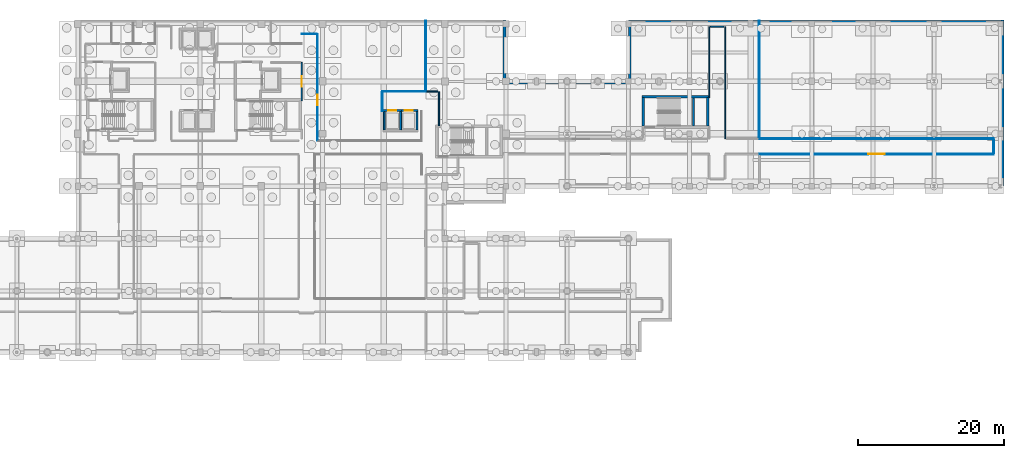
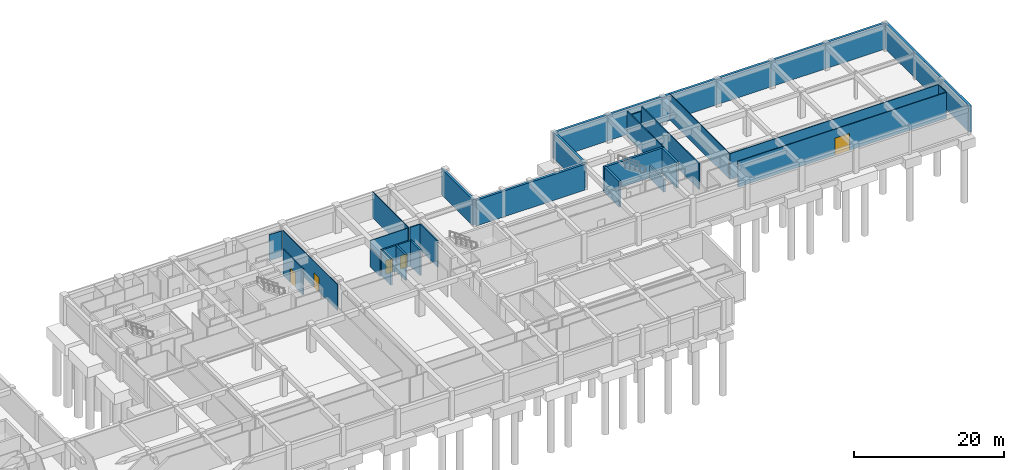
# One storey, part 33 of 42: 29 walls, 5 doors, 5 openings.
"""IFC4 building model written with IfcOpenShell, lengths in metres."""

from ifc_helpers import new_model, si_unit, direction, frame, frame_2d, origin, place, context, subcontext, project, spatial, rectangle, extrude, material, layer, layer_set, type_object, element, fill, save


model = new_model("IFC4")

# Units and contexts
model_context = context("Model", 3, precision=1e-05, world=origin(), true_north=direction((0.0, 1.0)))
body_context = subcontext(model_context, "Body", "Model", "MODEL_VIEW")
ifc_project = project(units=[si_unit("LENGTHUNIT", "METRE"), si_unit("AREAUNIT", "SQUARE_METRE"), si_unit("VOLUMEUNIT", "CUBIC_METRE"), si_unit("PLANEANGLEUNIT", "RADIAN"), si_unit("MASSUNIT", "GRAM", prefix="KILO")], contexts=[model_context])

# Site, building, storey
site_placement = place(None, origin())
site = spatial("IfcSite", under=ifc_project, at=site_placement, CompositionType="ELEMENT")
building_placement = place(site_placement, origin())
building = spatial("IfcBuilding", under=site, at=building_placement, Name="Quendrovan Civic Courthouse", CompositionType="ELEMENT")
storey_placement = place(building_placement, frame((0.0, 0.0, -4.5)))
storey = spatial("IfcBuildingStorey", under=building, at=storey_placement, Name="B1", CompositionType="ELEMENT", Elevation=-4.5)

# Walls
ifc_material_1 = material(Name="Concrete C35/45", Category="concrete")
ifc_layer_1 = layer(ifc_material_1, 0.3798828125, Name="Concrete C35/45")
ifc_layer_set_1 = layer_set([ifc_layer_1], Name="Concrete C35/45")
wall_type_1 = type_object("IfcWallType", Name="WL-BSM-RET380", PredefinedType="SOLIDWALL", material=ifc_layer_set_1)
wall_1_placement = place(storey_placement, frame((92.18994140625, 110.39990234375, 0.0), z_axis=(0.0, 0.0, 1.0), x_axis=(0.0, -1.0, 0.0)))
element("IfcWall", 1, at=wall_1_placement, inside=storey, type_object=wall_type_1, Name="B1 Perimeter Retaining Wall 009", PredefinedType="SOLIDWALL", context=body_context, shape_type="SweptSolid", body=[
    extrude(rectangle(XDim=8.39990234375, YDim=0.3798828125, at=frame_2d((4.199951171875, 0.0))), origin(), (0.0, 0.0, 1.0), 4.219970703125),
])
wall_2_placement = place(storey_placement, frame((92.39990234375, 101.7900390625, 0.0), z_axis=(0.0, 0.0, 1.0), x_axis=(1.0, 0.0, 0.0)))
element("IfcWall", 2, at=wall_2_placement, inside=storey, type_object=wall_type_1, Name="B1 Perimeter Retaining Wall 010", PredefinedType="SOLIDWALL", context=body_context, shape_type="SweptSolid", body=[
    extrude(rectangle(XDim=16.800048828125, YDim=0.3798828125, at=frame_2d((8.39990234375, 0.0))), origin(), (0.0, 0.0, 1.0), 4.219970703125),
])
wall_3_placement = place(storey_placement, frame((109.409912109375, 102.0, 0.0), z_axis=(0.0, 0.0, 1.0), x_axis=(0.0, 1.0, 0.0)))
element("IfcWall", 3, at=wall_3_placement, inside=storey, type_object=wall_type_1, Name="B1 Perimeter Retaining Wall 011", PredefinedType="SOLIDWALL", context=body_context, shape_type="SweptSolid", body=[
    extrude(rectangle(XDim=8.39990234375, YDim=0.3798828125, at=frame_2d((4.199951171875, 0.0))), origin(), (0.0, 0.0, 1.0), 4.219970703125),
])
wall_4_placement = place(storey_placement, frame((109.199951171875, 110.18994140625, 0.0), z_axis=(0.0, 0.0, 1.0), x_axis=(1.0, 0.0, 0.0)))
element("IfcWall", 4, at=wall_4_placement, inside=storey, type_object=wall_type_1, Name="B1 Perimeter Retaining Wall 012", PredefinedType="SOLIDWALL", context=body_context, shape_type="SweptSolid", body=[
    extrude(rectangle(XDim=51.60009765625, YDim=0.3798828125, at=frame_2d((25.800048828125, 0.0))), origin(), (0.0, 0.0, 1.0), 4.219970703125),
])
wall_5_placement = place(storey_placement, frame((160.590087890625, 110.39990234375, 0.0), z_axis=(0.0, 0.0, 1.0), x_axis=(0.0, -1.0, 0.0)))
element("IfcWall", 5, at=wall_5_placement, inside=storey, type_object=wall_type_1, Name="B1 Perimeter Retaining Wall 013", PredefinedType="SOLIDWALL", context=body_context, shape_type="SweptSolid", body=[
    extrude(rectangle(XDim=22.7998046875, YDim=0.3798828125, at=frame_2d((11.39990234375, 0.0))), origin(), (0.0, 0.0, 1.0), 4.219970703125),
])
ifc_material_2 = material(Name="Fire-rated gypsum stud partition")
ifc_layer_2 = layer(ifc_material_2, 0.159912109375, Name="Fire-rated gypsum stud partition")
ifc_layer_set_2 = layer_set([ifc_layer_2], Name="Fire-rated gypsum stud partition")
wall_type_2 = type_object("IfcWallType", Name="WL-COR-160", PredefinedType="PARTITIONING", material=ifc_layer_set_2)
wall_6_placement = place(storey_placement, frame((122.5, 94.10009765625, 0.0), z_axis=(0.0, 0.0, 1.0), x_axis=(0.0, 1.0, 0.0)))
element("IfcWall", 6, at=wall_6_placement, inside=storey, type_object=wall_type_2, Name="B1 Building Mechanical Support Room Partition 0026", PredefinedType="PARTITIONING", context=body_context, shape_type="SweptSolid", body=[
    extrude(rectangle(XDim=15.39990234375, YDim=0.159912109375, at=frame_2d((7.699951171875, 0.0))), origin(), (0.0, 0.0, 1.0), 4.219970703125),
])
wall_7_placement = place(storey_placement, frame((120.300048828125, 109.5, 0.0), z_axis=(0.0, 0.0, 1.0), x_axis=(0.0, -1.0, 0.0)))
element("IfcWall", 7, at=wall_7_placement, inside=storey, type_object=wall_type_2, Name="B1 Building Mechanical Support Room Partition 0027", PredefinedType="PARTITIONING", context=body_context, shape_type="SweptSolid", body=[
    extrude(rectangle(XDim=9.75, YDim=0.159912109375, at=frame_2d((4.875, 0.0))), origin(), (0.0, 0.0, 1.0), 4.219970703125),
])
wall_8_placement = place(storey_placement, frame((83.199951171875, 95.919921875, 0.0), z_axis=(0.0, 0.0, 1.0), x_axis=(0.0, 1.0, 0.0)))
element("IfcWall", 8, at=wall_8_placement, inside=storey, type_object=wall_type_2, Name="B1 Building Mechanical Support Room Partition 0076", PredefinedType="PARTITIONING", context=body_context, shape_type="SweptSolid", body=[
    extrude(rectangle(XDim=4.68017578125, YDim=0.159912109375, at=frame_2d((2.340087890625, 0.0))), origin(), (0.0, 0.0, 1.0), 4.219970703125),
])
wall_9_placement = place(storey_placement, frame((122.340087890625, 109.5, 0.0), z_axis=(0.0, 0.0, 1.0), x_axis=(-1.0, 0.0, 0.0)))
element("IfcWall", 9, at=wall_9_placement, inside=storey, type_object=wall_type_2, Name="B1 Building Mechanical Support Room Partition 0123", PredefinedType="PARTITIONING", context=body_context, shape_type="SweptSolid", body=[
    extrude(rectangle(XDim=1.880126953125, YDim=0.159912109375, at=frame_2d((0.93994140625, 0.0))), origin(), (0.0, 0.0, 1.0), 3.4599609375),
])
wall_10_placement = place(storey_placement, frame((83.0400390625, 100.60009765625, 0.0), z_axis=(0.0, 0.0, 1.0), x_axis=(-1.0, 0.0, 0.0)))
element("IfcWall", 10, at=wall_10_placement, inside=storey, type_object=wall_type_2, Name="B1 Building Mechanical Support Room Partition 0143", PredefinedType="PARTITIONING", context=body_context, shape_type="SweptSolid", body=[
    extrude(rectangle(XDim=1.52001953125, YDim=0.159912109375, at=frame_2d((0.760009765625, 0.0))), origin(), (0.0, 0.0, 1.0), 4.219970703125),
])
ifc_material_3 = material(Name="Concrete C45/55", Category="concrete")
ifc_layer_3 = layer(ifc_material_3, 0.35009765625, Name="Concrete C45/55")
ifc_layer_set_3 = layer_set([ifc_layer_3], Name="Concrete C45/55")
wall_type_3 = type_object("IfcWallType", Name="WL-CORE-350", PredefinedType="SHEAR", material=ifc_layer_set_3)
wall_11_placement = place(storey_placement, frame((120.31005859375, 99.885009765625, 0.0), z_axis=(0.0, 0.0, 1.0), x_axis=(-1.0, 0.0, 0.0)))
element("IfcWall", 11, at=wall_11_placement, inside=storey, type_object=wall_type_3, Name="B1 Core Shear Wall ST6-N", PredefinedType="SHEAR", context=body_context, shape_type="SweptSolid", body=[
    extrude(rectangle(XDim=9.219970703125, YDim=0.35009765625, at=frame_2d((4.60986328125, 0.0))), origin(), (0.0, 0.0, 1.0), 4.219970703125),
])
for number, where, z_axis, x_axis, name in (
    (12, (111.264892578125, 95.85009765625, 0.0), (0.0, 0.0, 1.0), (0.0, 1.0, 0.0), "B1 Core Shear Wall ST6-W"),
    (13, (120.135009765625, 99.75, 0.0), (0.0, 0.0, 1.0), (0.0, -1.0, 0.0), "B1 Core Shear Wall ST6-E"),
):
    element("IfcWall", number, at=place(storey_placement, frame(where, z_axis=z_axis, x_axis=x_axis)), inside=storey, type_object=wall_type_3, Name=name, PredefinedType="SHEAR", context=body_context, shape_type="SweptSolid", body=[
        extrude(rectangle(XDim=3.89990234375, YDim=0.35009765625, at=frame_2d((1.949951171875, 0.0))), origin(), (0.0, 0.0, 1.0), 4.219970703125),
    ])

# Wall, opening, door
ifc_material_4 = material(Name="Acoustic gypsum and mineral wool partition")
ifc_layer_4 = layer(ifc_material_4, 0.179931640625, Name="Acoustic gypsum and mineral wool partition")
ifc_layer_set_4 = layer_set([ifc_layer_4], Name="Acoustic gypsum and mineral wool partition")
wall_type_4 = type_object("IfcWallType", Name="WL-CRT-AC180", PredefinedType="PARTITIONING", material=ifc_layer_set_4)
wall_12_placement = place(storey_placement, frame((64.35009765625, 104.60009765625, 0.0), z_axis=(0.0, 0.0, 1.0), x_axis=(0.0, -1.0, 0.0)))
wall_12 = element("IfcWall", 14, at=wall_12_placement, inside=storey, type_object=wall_type_4, Name="B1 Electrical Substation and Standby Power Room Partition 0039", PredefinedType="PARTITIONING", context=body_context, shape_type="SweptSolid", body=[
    extrude(rectangle(XDim=5.300048828125, YDim=0.179931640625, at=frame_2d((2.64990234375, 0.0))), origin(), (0.0, 0.0, 1.0), 4.219970703125),
])
opening_1_placement = place(wall_12_placement, frame((1.929931640625, 0.0, 0.0)))
opening_1 = element("IfcOpeningElement", 15, at=opening_1_placement, cuts=wall_12, Name="Opening D-B1-025", PredefinedType="OPENING", context=body_context, shape_type="SweptSolid", body=[
    extrude(rectangle(XDim=1.43994140625, YDim=2.340087890625, at=frame_2d((0.719970703125, 1.169921875))), frame((0.0, 0.10009765625, 0.0), z_axis=(0.0, -1.0, 0.0), x_axis=(1.0, 0.0, 0.0)), (0.0, 0.0, 1.0), 0.199951171875),
])
ifc_material_5 = material(Name="Louvred fire-rated steel plant door", Category="steel")
door_type_1 = type_object("IfcDoorType", Name="DR-PLT-1440", OperationType="NOTDEFINED", PredefinedType="DOOR", material=ifc_material_5)
door_1_placement = place(opening_1_placement, origin())
door_1 = element("IfcDoor", 16, at=door_1_placement, inside=storey, type_object=door_type_1, Name="B1 Electrical Substation and Standby Power Room Door D-B1-025", OperationType="SINGLE_SWING_RIGHT", OverallHeight=2.340087890625, OverallWidth=1.43994140625, PredefinedType="DOOR", context=body_context, shape_type="SweptSolid", body=[
    extrude(rectangle(XDim=1.43994140625, YDim=2.340087890625, at=frame_2d((0.719970703125, 1.169921875))), frame((0.0, 0.02490234375, 0.0), z_axis=(0.0, -1.0, 0.0), x_axis=(1.0, 0.0, 0.0)), (0.0, 0.0, 1.0), 0.050048828125),
])
fill(opening_1, door_1)

ifc_material_6 = material(Name="Lightweight gypsum partition")
ifc_layer_5 = layer(ifc_material_6, 0.10009765625, Name="Lightweight gypsum partition")
ifc_layer_set_5 = layer_set([ifc_layer_5], Name="Lightweight gypsum partition")
wall_type_5 = type_object("IfcWallType", Name="WL-INT-100", PredefinedType="PARTITIONING", material=ifc_layer_set_5)
wall_13_placement = place(storey_placement, frame((66.5, 93.85009765625, 0.0), z_axis=(0.0, 0.0, 1.0), x_axis=(0.0, 1.0, 0.0)))
wall_13 = element("IfcWall", 17, at=wall_13_placement, inside=storey, type_object=wall_type_5, Name="B1 Chiller and Cooling Plant Room Partition 0032", PredefinedType="PARTITIONING", context=body_context, shape_type="SweptSolid", body=[
    extrude(rectangle(XDim=14.64990234375, YDim=0.10009765625, at=frame_2d((7.324951171875, 0.0))), origin(), (0.0, 0.0, 1.0), 4.219970703125),
])
opening_2_placement = place(wall_13_placement, frame((4.846923828125, 0.0, 0.0)))
opening_2 = element("IfcOpeningElement", 18, at=opening_2_placement, cuts=wall_13, Name="Opening D-B1-024", PredefinedType="OPENING", context=body_context, shape_type="SweptSolid", body=[
    extrude(rectangle(XDim=1.43994140625, YDim=2.340087890625, at=frame_2d((0.719970703125, 1.169921875))), frame((0.0, 0.06005859375, 0.0), z_axis=(0.0, -1.0, 0.0), x_axis=(1.0, 0.0, 0.0)), (0.0, 0.0, 1.0), 0.1201171875),
])
door_2_placement = place(opening_2_placement, origin())
door_2 = element("IfcDoor", 19, at=door_2_placement, inside=storey, type_object=door_type_1, Name="B1 Chiller and Cooling Plant Room Door D-B1-024", OperationType="SINGLE_SWING_LEFT", OverallHeight=2.340087890625, OverallWidth=1.43994140625, PredefinedType="DOOR", context=body_context, shape_type="SweptSolid", body=[
    extrude(rectangle(XDim=1.43994140625, YDim=2.340087890625, at=frame_2d((0.719970703125, 1.169921875))), frame((0.0, 0.02490234375, 0.0), z_axis=(0.0, -1.0, 0.0), x_axis=(1.0, 0.0, 0.0)), (0.0, 0.0, 1.0), 0.050048828125),
])
fill(opening_2, door_2)

# Walls
wall_14_placement = place(storey_placement, frame((81.389892578125, 110.340087890625, 0.0), z_axis=(0.0, 0.0, 1.0), x_axis=(0.0, -1.0, 0.0)))
element("IfcWall", 20, at=wall_14_placement, inside=storey, type_object=wall_type_5, Name="B1 Chiller and Cooling Plant Room Partition 0041", PredefinedType="PARTITIONING", context=body_context, shape_type="SweptSolid", body=[
    extrude(rectangle(XDim=9.739990234375, YDim=0.10009765625, at=frame_2d((4.8701171875, 0.0))), origin(), (0.0, 0.0, 1.0), 4.219970703125),
])
wall_15_placement = place(storey_placement, frame((81.260009765625, 100.60009765625, 0.0), z_axis=(0.0, 0.0, 1.0), x_axis=(-1.0, 0.0, 0.0)))
element("IfcWall", 21, at=wall_15_placement, inside=storey, type_object=wall_type_5, Name="B1 Chiller and Cooling Plant Room Partition 0064", PredefinedType="PARTITIONING", context=body_context, shape_type="SweptSolid", body=[
    extrude(rectangle(XDim=5.860107421875, YDim=0.10009765625, at=frame_2d((2.93017578125, 0.0))), origin(), (0.0, 0.0, 1.0), 4.219970703125),
])
wall_16_placement = place(storey_placement, frame((75.39990234375, 100.469970703125, 0.0), z_axis=(0.0, 0.0, 1.0), x_axis=(0.0, -1.0, 0.0)))
element("IfcWall", 22, at=wall_16_placement, inside=storey, type_object=wall_type_5, Name="B1 Chiller and Cooling Plant Room Partition 0114", PredefinedType="PARTITIONING", context=body_context, shape_type="SweptSolid", body=[
    extrude(rectangle(XDim=2.570068359375, YDim=0.10009765625, at=frame_2d((1.28515625, 0.0))), origin(), (0.0, 0.0, 1.0), 3.010009765625),
])
wall_17_placement = place(storey_placement, frame((66.3701171875, 108.5, 0.0), z_axis=(0.0, 0.0, 1.0), x_axis=(-1.0, 0.0, 0.0)))
element("IfcWall", 23, at=wall_17_placement, inside=storey, type_object=wall_type_5, Name="B1 Chiller and Cooling Plant Room Partition 0128", PredefinedType="PARTITIONING", context=body_context, shape_type="SweptSolid", body=[
    extrude(rectangle(XDim=2.02001953125, YDim=0.10009765625, at=frame_2d((1.010009765625, 0.0))), origin(), (0.0, 0.0, 1.0), 4.219970703125),
])
ifc_layer_6 = layer(ifc_material_3, 0.25, Name="Concrete C45/55")
ifc_layer_set_6 = layer_set([ifc_layer_6], Name="Concrete C45/55")
wall_type_6 = type_object("IfcWallType", Name="WL-SHAFT-250", PredefinedType="SHEAR", material=ifc_layer_set_6)
wall_18_placement = place(storey_placement, frame((118.14990234375, 95.89990234375, 0.0), z_axis=(0.0, 0.0, 1.0), x_axis=(0.0, 1.0, 0.0)))
element("IfcWall", 24, at=wall_18_placement, inside=storey, type_object=wall_type_6, Name="B1 Stair ST6 Mid-Landing Bearing Wall", PredefinedType="SHEAR", context=body_context, shape_type="SweptSolid", body=[
    extrude(rectangle(XDim=3.800048828125, YDim=0.25, at=frame_2d((1.89990234375, 0.0))), origin(), (0.0, 0.0, 1.0), 2.070068359375),
])

# Wall, opening, door
wall_19_placement = place(storey_placement, frame((78.050048828125, 97.97509765625, 0.0), z_axis=(0.0, 0.0, 1.0), x_axis=(-1.0, 0.0, 0.0)))
wall_19 = element("IfcWall", 25, at=wall_19_placement, inside=storey, type_object=wall_type_6, Name="B1 Lift Hoistway Wall PL1 +Y", PredefinedType="SHEAR", context=body_context, shape_type="SweptSolid", body=[
    extrude(rectangle(XDim=2.5, YDim=0.25, at=frame_2d((1.25, 0.0))), origin(), (0.0, 0.0, 1.0), 4.219970703125),
])
opening_3_placement = place(wall_19_placement, frame((0.699951171875, 0.0, 0.0)))
opening_3 = element("IfcOpeningElement", 26, at=opening_3_placement, cuts=wall_19, Name="Opening LD-PL1-B1", PredefinedType="OPENING", context=body_context, shape_type="SweptSolid", body=[
    extrude(rectangle(XDim=1.10009765625, YDim=2.199951171875, at=frame_2d((0.550048828125, 1.10009765625))), frame((0.0, 0.135009765625, 0.0), z_axis=(0.0, -1.0, 0.0), x_axis=(1.0, 0.0, 0.0)), (0.0, 0.0, 1.0), 0.27001953125),
])
ifc_material_7 = material(Name="Brushed bronze-anodised stainless steel", Category="steel")
door_type_2 = type_object("IfcDoorType", Name="DR-LIFT-LD-PL", OperationType="NOTDEFINED", PredefinedType="DOOR", material=ifc_material_7)
door_3_placement = place(opening_3_placement, origin())
door_3 = element("IfcDoor", 27, at=door_3_placement, inside=storey, type_object=door_type_2, Name="B1 Lift PL1 Sliding Landing Door", OperationType="SLIDING_TO_LEFT", OverallHeight=2.199951171875, OverallWidth=1.10009765625, PredefinedType="DOOR", context=body_context, shape_type="SweptSolid", body=[
    extrude(rectangle(XDim=1.10009765625, YDim=2.199951171875, at=frame_2d((0.550048828125, 1.10009765625))), frame((0.0, 0.02490234375, 0.0), z_axis=(0.0, -1.0, 0.0), x_axis=(1.0, 0.0, 0.0)), (0.0, 0.0, 1.0), 0.050048828125),
])
fill(opening_3, door_3)

# Walls
for number, where, z_axis, x_axis, name in (
    (28, (75.675048828125, 95.35009765625, 0.0), (0.0, 0.0, 1.0), (0.0, 1.0, 0.0), "B1 Lift Hoistway Wall PL1 -X"),
    (29, (77.925048828125, 97.85009765625, 0.0), (0.0, 0.0, 1.0), (0.0, -1.0, 0.0), "B1 Lift Hoistway Wall PL1 +X"),
):
    element("IfcWall", number, at=place(storey_placement, frame(where, z_axis=z_axis, x_axis=x_axis)), inside=storey, type_object=wall_type_6, Name=name, PredefinedType="SHEAR", context=body_context, shape_type="SweptSolid", body=[
        extrude(rectangle(XDim=2.5, YDim=0.25, at=frame_2d((1.25, 0.0))), origin(), (0.0, 0.0, 1.0), 4.219970703125),
    ])

# Wall, opening, door
wall_20_placement = place(storey_placement, frame((80.300048828125, 97.97509765625, 0.0), z_axis=(0.0, 0.0, 1.0), x_axis=(-1.0, 0.0, 0.0)))
wall_20 = element("IfcWall", 30, at=wall_20_placement, inside=storey, type_object=wall_type_6, Name="B1 Lift Hoistway Wall PL2 +Y", PredefinedType="SHEAR", context=body_context, shape_type="SweptSolid", body=[
    extrude(rectangle(XDim=2.5, YDim=0.25, at=frame_2d((1.25, 0.0))), origin(), (0.0, 0.0, 1.0), 4.219970703125),
])
opening_4_placement = place(wall_20_placement, frame((0.699951171875, 0.0, 0.0)))
opening_4 = element("IfcOpeningElement", 31, at=opening_4_placement, cuts=wall_20, Name="Opening LD-PL2-B1", PredefinedType="OPENING", context=body_context, shape_type="SweptSolid", body=[
    extrude(rectangle(XDim=1.10009765625, YDim=2.199951171875, at=frame_2d((0.550048828125, 1.10009765625))), frame((0.0, 0.135009765625, 0.0), z_axis=(0.0, -1.0, 0.0), x_axis=(1.0, 0.0, 0.0)), (0.0, 0.0, 1.0), 0.27001953125),
])
door_4_placement = place(opening_4_placement, origin())
door_4 = element("IfcDoor", 32, at=door_4_placement, inside=storey, type_object=door_type_2, Name="B1 Lift PL2 Sliding Landing Door", OperationType="SLIDING_TO_LEFT", OverallHeight=2.199951171875, OverallWidth=1.10009765625, PredefinedType="DOOR", context=body_context, shape_type="SweptSolid", body=[
    extrude(rectangle(XDim=1.10009765625, YDim=2.199951171875, at=frame_2d((0.550048828125, 1.10009765625))), frame((0.0, 0.02490234375, 0.0), z_axis=(0.0, -1.0, 0.0), x_axis=(1.0, 0.0, 0.0)), (0.0, 0.0, 1.0), 0.050048828125),
])
fill(opening_4, door_4)

# Wall
wall_21_placement = place(storey_placement, frame((80.175048828125, 97.85009765625, 0.0), z_axis=(0.0, 0.0, 1.0), x_axis=(0.0, -1.0, 0.0)))
element("IfcWall", 33, at=wall_21_placement, inside=storey, type_object=wall_type_6, Name="B1 Lift Hoistway Wall PL2 +X", PredefinedType="SHEAR", context=body_context, shape_type="SweptSolid", body=[
    extrude(rectangle(XDim=2.5, YDim=0.25, at=frame_2d((1.25, 0.0))), origin(), (0.0, 0.0, 1.0), 4.219970703125),
])

# Wall, opening, door
ifc_material_8 = material(Name="Moisture-resistant tile-backer partition")
ifc_layer_7 = layer(ifc_material_8, 0.110107421875, Name="Moisture-resistant tile-backer partition")
ifc_layer_set_7 = layer_set([ifc_layer_7], Name="Moisture-resistant tile-backer partition")
wall_type_7 = type_object("IfcWallType", Name="WL-WET-110", PredefinedType="PARTITIONING", material=ifc_layer_set_7)
wall_22_placement = place(storey_placement, frame((127.199951171875, 92.0, 0.0), z_axis=(0.0, 0.0, 1.0), x_axis=(1.0, 0.0, 0.0)))
wall_22 = element("IfcWall", 34, at=wall_22_placement, inside=storey, type_object=wall_type_7, Name="B1 Ceremonial Wing Mechanical Plant Room Partition 0005", PredefinedType="PARTITIONING", context=body_context, shape_type="SweptSolid", body=[
    extrude(rectangle(XDim=32.199951171875, YDim=0.110107421875, at=frame_2d((16.10009765625, 0.0))), origin(), (0.0, 0.0, 1.0), 4.219970703125),
])
opening_5_placement = place(wall_22_placement, frame((14.9599609375, 0.0, 0.0)))
opening_5 = element("IfcOpeningElement", 35, at=opening_5_placement, cuts=wall_22, Name="Opening D-B1-023", PredefinedType="OPENING", context=body_context, shape_type="SweptSolid", body=[
    extrude(rectangle(XDim=2.280029296875, YDim=2.75, at=frame_2d((1.14013671875, 1.375))), frame((0.0, 0.06494140625, 0.0), z_axis=(0.0, -1.0, 0.0), x_axis=(1.0, 0.0, 0.0)), (0.0, 0.0, 1.0), 0.130126953125),
])
ifc_material_9 = material(Name="Bronze-framed acoustic timber ceremonial door", Category="wood")
door_type_3 = type_object("IfcDoorType", Name="DR-CER-DBL2280", OperationType="NOTDEFINED", PredefinedType="DOOR", material=ifc_material_9)
door_5_placement = place(opening_5_placement, origin())
door_5 = element("IfcDoor", 36, at=door_5_placement, inside=storey, type_object=door_type_3, Name="B1 Ceremonial Wing Mechanical Plant Room Door D-B1-023", OperationType="SINGLE_SWING_RIGHT", OverallHeight=2.75, OverallWidth=2.280029296875, PredefinedType="DOOR", context=body_context, shape_type="SweptSolid", body=[
    extrude(rectangle(XDim=2.280029296875, YDim=2.75, at=frame_2d((1.14013671875, 1.375))), frame((0.0, 0.02490234375, 0.0), z_axis=(0.0, -1.0, 0.0), x_axis=(1.0, 0.0, 0.0)), (0.0, 0.0, 1.0), 0.050048828125),
])
fill(opening_5, door_5)

# Walls
wall_23_placement = place(storey_placement, frame((159.39990234375, 94.10009765625, 0.0), z_axis=(0.0, 0.0, 1.0), x_axis=(-1.0, 0.0, 0.0)))
element("IfcWall", 37, at=wall_23_placement, inside=storey, type_object=wall_type_7, Name="B1 Ceremonial Wing Mechanical Plant Room Partition 0006", PredefinedType="PARTITIONING", context=body_context, shape_type="SweptSolid", body=[
    extrude(rectangle(XDim=32.199951171875, YDim=0.110107421875, at=frame_2d((16.10009765625, 0.0))), origin(), (0.0, 0.0, 1.0), 4.219970703125),
])
wall_24_placement = place(storey_placement, frame((127.199951171875, 94.235107421875, 0.0), z_axis=(0.0, 0.0, 1.0), x_axis=(0.0, 1.0, 0.0)))
element("IfcWall", 38, at=wall_24_placement, inside=storey, type_object=wall_type_7, Name="B1 Ceremonial Wing Mechanical Plant Room Partition 0025", PredefinedType="PARTITIONING", context=body_context, shape_type="SweptSolid", body=[
    extrude(rectangle(XDim=16.10498046875, YDim=0.110107421875, at=frame_2d((8.052490234375, 0.0))), origin(), (0.0, 0.0, 1.0), 4.219970703125),
])
wall_25_placement = place(storey_placement, frame((159.39990234375, 92.135009765625, 0.0), z_axis=(0.0, 0.0, 1.0), x_axis=(0.0, 1.0, 0.0)))
element("IfcWall", 39, at=wall_25_placement, inside=storey, type_object=wall_type_7, Name="B1 Ceremonial Wing Mechanical Plant Room Partition 0134", PredefinedType="PARTITIONING", context=body_context, shape_type="SweptSolid", body=[
    extrude(rectangle(XDim=1.830078125, YDim=0.110107421875, at=frame_2d((0.9150390625, 0.0))), origin(), (0.0, 0.0, 1.0), 4.219970703125),
])

save(model, "model.ifc")
